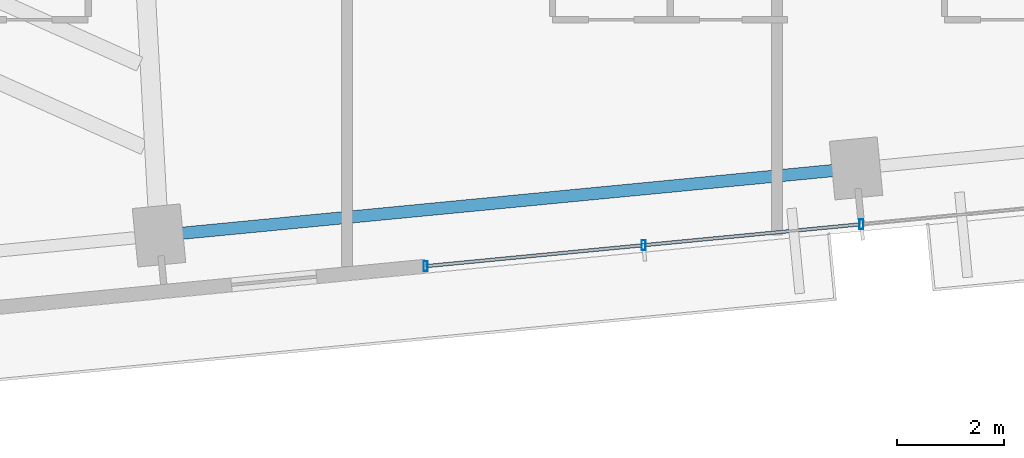
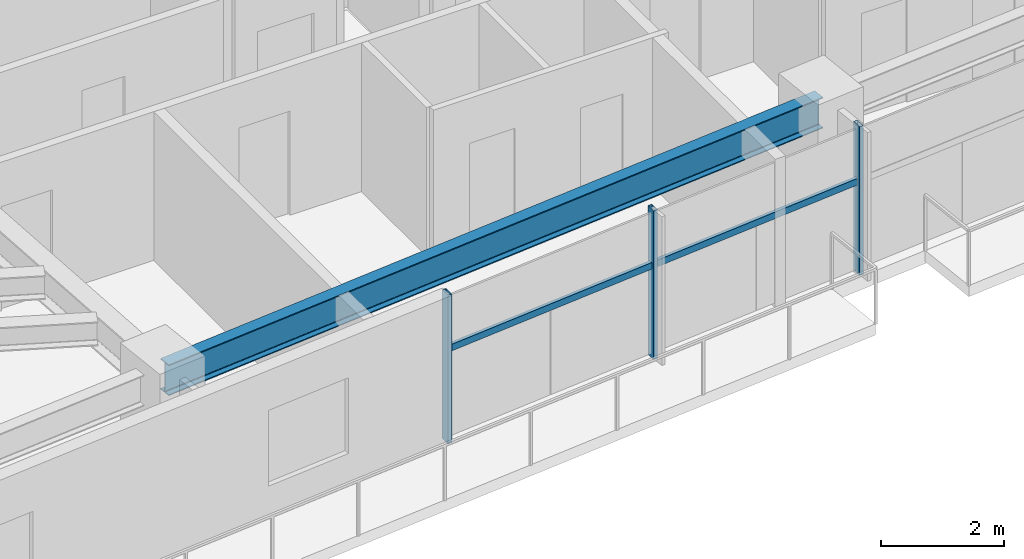
# One storey, part 6 of 25: 5 members, 1 beam, 1 element without a shape of its own.
"""IFC4 building model written with IfcOpenShell, lengths in metres."""

from ifc_helpers import new_model, si_unit, direction, frame, origin, origin_2d, place, context, subcontext, project, spatial, hollow_rectangle, i_section, extrude, source, transform, mapped, material, material_profile, profile_set, type_object, type_shapes, element, aggregate, save


model = new_model("IFC4")

# Units and contexts
model_context = context("Model", 3, precision=1e-05, world=origin(), true_north=direction((0.0, 1.0)))
body_context = subcontext(model_context, "Body", "Model", "MODEL_VIEW")
ifc_project = project(units=[si_unit("LENGTHUNIT", "METRE"), si_unit("AREAUNIT", "SQUARE_METRE"), si_unit("VOLUMEUNIT", "CUBIC_METRE"), si_unit("PLANEANGLEUNIT", "RADIAN"), si_unit("MASSUNIT", "GRAM", prefix="KILO")], contexts=[model_context])

# Site, building, storey
site_placement = place(None, origin())
site = spatial("IfcSite", under=ifc_project, at=site_placement, CompositionType="ELEMENT")
building_placement = place(site_placement, origin())
building = spatial("IfcBuilding", under=site, at=building_placement, Name="Astriad Promenade Condominiums", CompositionType="ELEMENT")
storey_placement = place(building_placement, frame((0.0, 0.0, 106.60009765625)))
storey = spatial("IfcBuildingStorey", under=building, at=storey_placement, Name="L30", CompositionType="ELEMENT", Elevation=106.60009765625)

# Beam
ifc_material_1 = material(Name="Steel ASTM A992 Grade 50", Category="steel")
ifc_material_profile_1 = material_profile(ifc_material_1, i_section(OverallWidth=0.22900390625, OverallDepth=0.612060546875, WebThickness=0.011962890625, FlangeThickness=0.01953125, FilletRadius=0.017822265625, at=origin_2d()), Name="W24X84")
ifc_profile_set_1 = profile_set([ifc_material_profile_1], Name="Steel ASTM A992 Grade 50")
beam_type = type_object("IfcBeamType", Name="STEEL SPANDREL BEAM W24X84", PredefinedType="SPANDREL", material=ifc_profile_set_1)
shared_shape_1 = source(origin(), body_context, "Body", "SweptSolid", [
    extrude(i_section(OverallWidth=0.22900390625, OverallDepth=0.612060546875, WebThickness=0.011962890625, FlangeThickness=0.01953125, FilletRadius=0.017822265625, at=origin_2d()), origin(), (0.0, 0.0, 1.0), 13.020263671875),
])
type_shapes(beam_type, [shared_shape_1])
beam_placement = place(storey_placement, frame((27.04541015625, 6.268798828125, 2.6337890625), z_axis=(0.995395311238, 0.095854965264, 0.0), x_axis=(-0.095854965264, 0.995395311238, 0.0)))
element("IfcBeam", 1, at=beam_placement, inside=storey, type_object=beam_type, Name="Perimeter Spandrel Beam SP-S2-L30", PredefinedType="SPANDREL", context=body_context, shape_type="MappedRepresentation", body=[
    mapped(shared_shape_1, transform((0.0, 0.0, 0.0), scale=1.0)),
])

# Curtain wall, members
ifc_material_2 = material(Name="Anodised aluminium Black Dark Glass Unitised", Category="aluminium")
curtain_wall_type = type_object("IfcCurtainWallType", Name="CW-B2-DARK", PredefinedType="USERDEFINED", material=ifc_material_2)
curtain_wall_placement = place(storey_placement, origin())
curtain_wall = element("IfcCurtainWall", 2, at=curtain_wall_placement, inside=storey, type_object=curtain_wall_type, Name="CW-L30-S", ObjectType="UNITISED_CURTAIN_WALL", PredefinedType="USERDEFINED")
ifc_material_3 = material(Name="Anodised aluminium 6063-T6 Black", Category="aluminium")
ifc_material_profile_2 = material_profile(ifc_material_3, hollow_rectangle(XDim=0.074951171875, YDim=0.18505859375, WallThickness=0.00439453125, at=origin_2d()), Name="ALU-MUL-75X185")
ifc_profile_set_2 = profile_set([ifc_material_profile_2], Name="Anodised aluminium 6063-T6 Black")
member_type_1 = type_object("IfcMemberType", Name="MUL-ALU-MUL-75X185", PredefinedType="MULLION", material=ifc_profile_set_2)
shared_shape_2 = source(origin(), body_context, "Body", "SweptSolid", [
    extrude(hollow_rectangle(XDim=0.074951171875, YDim=0.18505859375, WallThickness=0.00439453125, at=origin_2d()), origin(), (0.0, 0.0, 1.0), 2.93994140625),
])
type_shapes(member_type_1, [shared_shape_2])
member_1_placement = place(storey_placement, frame((40.14599609375, 6.475341796875, 0.0), z_axis=(0.0, 0.0, 1.0), x_axis=(1.0, 0.0, 0.0)))
member_1 = element("IfcMember", 3, at=member_1_placement, type_object=member_type_1, Name="CW-L30-S-MUL-02", PredefinedType="MULLION", context=body_context, shape_type="MappedRepresentation", body=[
    mapped(shared_shape_2, transform((0.0, 0.0, 0.0), scale=1.0)),
])
member_2_placement = place(storey_placement, frame((36.06982421875, 6.0830078125, 0.0), z_axis=(0.0, 0.0, 1.0), x_axis=(1.0, 0.0, 0.0)))
member_2 = element("IfcMember", 4, at=member_2_placement, type_object=member_type_1, Name="CW-L30-S-MUL-03", PredefinedType="MULLION", context=body_context, shape_type="MappedRepresentation", body=[
    mapped(shared_shape_2, transform((0.0, 0.0, 0.0), scale=1.0)),
])
member_3_placement = place(storey_placement, frame((31.99365234375, 5.6904296875, 0.0), z_axis=(0.0, 0.0, 1.0), x_axis=(1.0, 0.0, 0.0)))
member_3 = element("IfcMember", 5, at=member_3_placement, type_object=member_type_1, Name="CW-L30-S-MUL-04", PredefinedType="MULLION", context=body_context, shape_type="MappedRepresentation", body=[
    mapped(shared_shape_2, transform((0.0, 0.0, 0.0), scale=1.0)),
])
ifc_material_profile_3 = material_profile(ifc_material_3, hollow_rectangle(XDim=0.06494140625, YDim=0.1298828125, WallThickness=0.00390625, at=origin_2d()), Name="ALU-TRN-65X130")
ifc_profile_set_3 = profile_set([ifc_material_profile_3], Name="Anodised aluminium 6063-T6 Black")
member_type_2 = type_object("IfcMemberType", Name="TRN-ALU-TRN-65X130", PredefinedType="USERDEFINED", material=ifc_profile_set_3)
shared_shape_3 = source(origin(), body_context, "Body", "SweptSolid", [
    extrude(hollow_rectangle(XDim=0.06494140625, YDim=0.1298828125, WallThickness=0.00390625, at=origin_2d()), origin(), (0.0, 0.0, 1.0), 4.094970703125),
])
type_shapes(member_type_2, [shared_shape_3])
member_4_placement = place(storey_placement, frame((40.14599609375, 6.475341796875, 1.82275390625), z_axis=(-0.995399849002, -0.095807831657, 0.0), x_axis=(0.095807831657, -0.995399849002, 0.0)))
member_4 = element("IfcMember", 6, at=member_4_placement, type_object=member_type_2, Name="CW-L30-S-TRN-02-0", ObjectType="TRANSOM", PredefinedType="USERDEFINED", context=body_context, shape_type="MappedRepresentation", body=[
    mapped(shared_shape_3, transform((0.0, 0.0, 0.0), scale=1.0)),
])
member_5_placement = place(storey_placement, frame((36.06982421875, 6.0830078125, 1.82275390625), z_axis=(-0.995394161585, -0.09586690296, 0.0), x_axis=(0.09586690296, -0.995394161585, 0.0)))
member_5 = element("IfcMember", 7, at=member_5_placement, type_object=member_type_2, Name="CW-L30-S-TRN-03-0", ObjectType="TRANSOM", PredefinedType="USERDEFINED", context=body_context, shape_type="MappedRepresentation", body=[
    mapped(shared_shape_3, transform((0.0, 0.0, 0.0), scale=1.0)),
])
aggregate(curtain_wall, [member_1, member_2, member_3, member_4, member_5])

save(model, "model.ifc")
